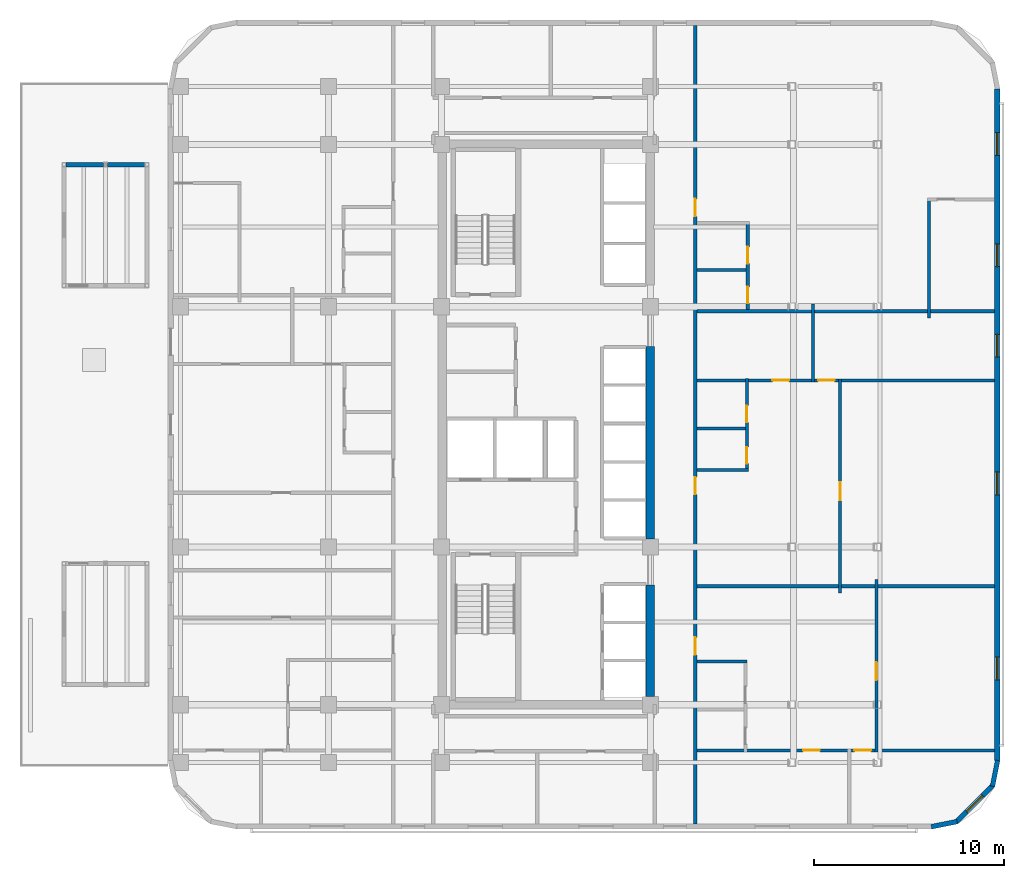
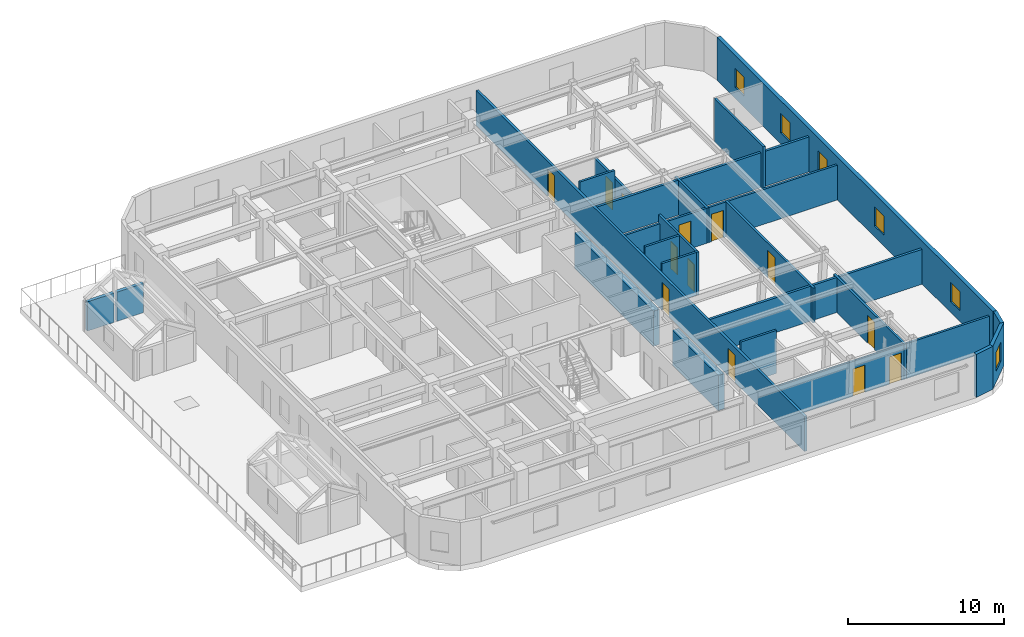
# One storey, part 13 of 19: 23 walls, 13 doors, 6 windows, 19 openings.
"""IFC4 building model written with IfcOpenShell, lengths in metres."""

from ifc_helpers import new_model, si_unit, direction, frame, frame_2d, origin, place, context, subcontext, project, spatial, rectangle, extrude, material, layer, layer_set, type_object, element, fill, save


model = new_model("IFC4")

# Units and contexts
model_context = context("Model", 3, precision=1e-05, world=origin(), true_north=direction((0.0, 1.0)))
body_context = subcontext(model_context, "Body", "Model", "MODEL_VIEW")
ifc_project = project(units=[si_unit("LENGTHUNIT", "METRE"), si_unit("AREAUNIT", "SQUARE_METRE"), si_unit("VOLUMEUNIT", "CUBIC_METRE"), si_unit("PLANEANGLEUNIT", "RADIAN"), si_unit("MASSUNIT", "GRAM", prefix="KILO")], contexts=[model_context])

# Site, building, storey
site_placement = place(None, origin())
site = spatial("IfcSite", under=ifc_project, at=site_placement, CompositionType="ELEMENT")
building_placement = place(site_placement, origin())
building = spatial("IfcBuilding", under=site, at=building_placement, Name="Ochreholt Gables", CompositionType="ELEMENT")
storey_placement = place(building_placement, frame((0.0, 0.0, 76.800048828125)))
storey = spatial("IfcBuildingStorey", under=building, at=storey_placement, Name="L19", CompositionType="ELEMENT", Elevation=76.800048828125)

# Walls
ifc_material_1 = material(Name="Concrete 60 MPa", Category="concrete")
ifc_layer_1 = layer(ifc_material_1, 0.449951171875, Name="Concrete 60 MPa")
ifc_layer_set_1 = layer_set([ifc_layer_1], Name="Concrete 60 MPa")
wall_type_1 = type_object("IfcWallType", Name="WALL-CSW-450", PredefinedType="SHEAR", material=ifc_layer_set_1)
wall_1_placement = place(storey_placement, frame((35.175048828125, 9.675048828125, 0.0), z_axis=(0.0, 0.0, 1.0), x_axis=(0.0, 1.0, 0.0)))
element("IfcWall", 1, at=wall_1_placement, inside=storey, type_object=wall_type_1, Name="L19 Core South-East Shear Wall", PredefinedType="SHEAR", context=body_context, shape_type="SweptSolid", body=[
    extrude(rectangle(XDim=5.875, YDim=0.449951171875, at=frame_2d((2.9375, 0.0))), origin(), (0.0, 0.0, 1.0), 2.7490234375),
])
wall_2_placement = place(storey_placement, frame((35.175048828125, 17.97509765625, 0.0), z_axis=(0.0, 0.0, 1.0), x_axis=(0.0, 1.0, 0.0)))
element("IfcWall", 2, at=wall_2_placement, inside=storey, type_object=wall_type_1, Name="L19 Core Central-East Shear Wall", PredefinedType="SHEAR", context=body_context, shape_type="SweptSolid", body=[
    extrude(rectangle(XDim=10.125, YDim=0.449951171875, at=frame_2d((5.0625, 0.0))), origin(), (0.0, 0.0, 1.0), 2.7490234375),
])

# Wall, openings, windows
ifc_material_2 = material(Name="Precast concrete 40 MPa", Category="concrete")
ifc_layer_2 = layer(ifc_material_2, 0.280029296875, Name="Precast concrete 40 MPa")
ifc_layer_set_2 = layer_set([ifc_layer_2], Name="Precast concrete 40 MPa")
wall_type_2 = type_object("IfcWallType", Name="WALL-EXT-280", PredefinedType="SOLIDWALL", material=ifc_layer_set_2)
wall_3_placement = place(storey_placement, frame((53.4599609375, 6.320068359375, 0.0), z_axis=(0.0, 0.0, 1.0), x_axis=(0.0, 1.0, 0.0)))
wall_3 = element("IfcWall", 3, at=wall_3_placement, inside=storey, type_object=wall_type_2, Name="L19 East Exterior Wall", PredefinedType="SOLIDWALL", context=body_context, shape_type="SweptSolid", body=[
    extrude(rectangle(XDim=35.35986328125, YDim=0.280029296875, at=frame_2d((17.679931640625, 0.0))), origin(), (0.0, 0.0, 1.0), 3.35986328125),
])
opening_1_placement = place(wall_3_placement, frame((4.239990234375, 0.0, 0.85009765625)))
opening_1 = element("IfcOpeningElement", 4, at=opening_1_placement, cuts=wall_3, Name="Opening WN-3", PredefinedType="OPENING", context=body_context, shape_type="SweptSolid", body=[
    extrude(rectangle(XDim=1.199951171875, YDim=1.5, at=frame_2d((0.60009765625, 0.75))), frame((0.0, 0.14990234375, 0.0), z_axis=(0.0, -1.0, 0.0), x_axis=(1.0, 0.0, 0.0)), (0.0, 0.0, 1.0), 0.300048828125),
])
opening_2_placement = place(wall_3_placement, frame((13.98193359375, 0.0, 0.85009765625)))
opening_2 = element("IfcOpeningElement", 5, at=opening_2_placement, cuts=wall_3, Name="Opening WN-3", PredefinedType="OPENING", context=body_context, shape_type="SweptSolid", body=[
    extrude(rectangle(XDim=1.199951171875, YDim=1.5, at=frame_2d((0.60009765625, 0.75))), frame((0.0, 0.14990234375, 0.0), z_axis=(0.0, -1.0, 0.0), x_axis=(1.0, 0.0, 0.0)), (0.0, 0.0, 1.0), 0.300048828125),
])
opening_3_placement = place(wall_3_placement, frame((21.22412109375, 0.0, 0.85009765625)))
opening_3 = element("IfcOpeningElement", 6, at=opening_3_placement, cuts=wall_3, Name="Opening WN-3", PredefinedType="OPENING", context=body_context, shape_type="SweptSolid", body=[
    extrude(rectangle(XDim=1.199951171875, YDim=1.5, at=frame_2d((0.60009765625, 0.75))), frame((0.0, 0.14990234375, 0.0), z_axis=(0.0, -1.0, 0.0), x_axis=(1.0, 0.0, 0.0)), (0.0, 0.0, 1.0), 0.300048828125),
])
opening_4_placement = place(wall_3_placement, frame((25.989013671875, 0.0, 0.85009765625)))
opening_4 = element("IfcOpeningElement", 7, at=opening_4_placement, cuts=wall_3, Name="Opening WN-3", PredefinedType="OPENING", context=body_context, shape_type="SweptSolid", body=[
    extrude(rectangle(XDim=1.199951171875, YDim=1.5, at=frame_2d((0.60009765625, 0.75))), frame((0.0, 0.14990234375, 0.0), z_axis=(0.0, -1.0, 0.0), x_axis=(1.0, 0.0, 0.0)), (0.0, 0.0, 1.0), 0.300048828125),
])
opening_5_placement = place(wall_3_placement, frame((31.846923828125, 0.0, 0.85009765625)))
opening_5 = element("IfcOpeningElement", 8, at=opening_5_placement, cuts=wall_3, Name="Opening WN-3", PredefinedType="OPENING", context=body_context, shape_type="SweptSolid", body=[
    extrude(rectangle(XDim=1.199951171875, YDim=1.5, at=frame_2d((0.60009765625, 0.75))), frame((0.0, 0.14990234375, 0.0), z_axis=(0.0, -1.0, 0.0), x_axis=(1.0, 0.0, 0.0)), (0.0, 0.0, 1.0), 0.300048828125),
])
ifc_material_3 = material(Name="Triple-Glazed Thermally Broken Aluminium Window", Category="aluminium")
window_type = type_object("IfcWindowType", Name="WIN-RES-1200", PartitioningType="SINGLE_PANEL", PredefinedType="WINDOW", material=ifc_material_3)
window_1_placement = place(opening_1_placement, origin())
window_1 = element("IfcWindow", 9, at=window_1_placement, inside=storey, type_object=window_type, Name="L19 Window W-EXT-E-L19-1", OverallHeight=1.5, OverallWidth=1.199951171875, PartitioningType="SINGLE_PANEL", PredefinedType="WINDOW", context=body_context, shape_type="SweptSolid", body=[
    extrude(rectangle(XDim=1.199951171875, YDim=1.5, at=frame_2d((0.60009765625, 0.75))), frame((0.0, 0.030029296875, 0.0), z_axis=(0.0, -1.0, 0.0), x_axis=(1.0, 0.0, 0.0)), (0.0, 0.0, 1.0), 0.06005859375),
])
fill(opening_1, window_1)
window_2_placement = place(opening_2_placement, origin())
window_2 = element("IfcWindow", 10, at=window_2_placement, inside=storey, type_object=window_type, Name="L19 Window W-EXT-E-L19-2", OverallHeight=1.5, OverallWidth=1.199951171875, PartitioningType="SINGLE_PANEL", PredefinedType="WINDOW", context=body_context, shape_type="SweptSolid", body=[
    extrude(rectangle(XDim=1.199951171875, YDim=1.5, at=frame_2d((0.60009765625, 0.75))), frame((0.0, 0.030029296875, 0.0), z_axis=(0.0, -1.0, 0.0), x_axis=(1.0, 0.0, 0.0)), (0.0, 0.0, 1.0), 0.06005859375),
])
fill(opening_2, window_2)
window_3_placement = place(opening_3_placement, origin())
window_3 = element("IfcWindow", 11, at=window_3_placement, inside=storey, type_object=window_type, Name="L19 Window W-EXT-E-L19-3", OverallHeight=1.5, OverallWidth=1.199951171875, PartitioningType="SINGLE_PANEL", PredefinedType="WINDOW", context=body_context, shape_type="SweptSolid", body=[
    extrude(rectangle(XDim=1.199951171875, YDim=1.5, at=frame_2d((0.60009765625, 0.75))), frame((0.0, 0.030029296875, 0.0), z_axis=(0.0, -1.0, 0.0), x_axis=(1.0, 0.0, 0.0)), (0.0, 0.0, 1.0), 0.06005859375),
])
fill(opening_3, window_3)
window_4_placement = place(opening_4_placement, origin())
window_4 = element("IfcWindow", 12, at=window_4_placement, inside=storey, type_object=window_type, Name="L19 Window W-EXT-E-L19-4", OverallHeight=1.5, OverallWidth=1.199951171875, PartitioningType="SINGLE_PANEL", PredefinedType="WINDOW", context=body_context, shape_type="SweptSolid", body=[
    extrude(rectangle(XDim=1.199951171875, YDim=1.5, at=frame_2d((0.60009765625, 0.75))), frame((0.0, 0.030029296875, 0.0), z_axis=(0.0, -1.0, 0.0), x_axis=(1.0, 0.0, 0.0)), (0.0, 0.0, 1.0), 0.06005859375),
])
fill(opening_4, window_4)
window_5_placement = place(opening_5_placement, origin())
window_5 = element("IfcWindow", 13, at=window_5_placement, inside=storey, type_object=window_type, Name="L19 Window W-EXT-E-L19-5", OverallHeight=1.5, OverallWidth=1.199951171875, PartitioningType="SINGLE_PANEL", PredefinedType="WINDOW", context=body_context, shape_type="SweptSolid", body=[
    extrude(rectangle(XDim=1.199951171875, YDim=1.5, at=frame_2d((0.60009765625, 0.75))), frame((0.0, 0.030029296875, 0.0), z_axis=(0.0, -1.0, 0.0), x_axis=(1.0, 0.0, 0.0)), (0.0, 0.0, 1.0), 0.06005859375),
])
fill(opening_5, window_5)

# Wall
ifc_layer_3 = layer(ifc_material_2, 0.25, Name="Precast concrete 40 MPa")
ifc_layer_set_3 = layer_set([ifc_layer_3], Name="Precast concrete 40 MPa")
wall_type_3 = type_object("IfcWallType", Name="WALL-EXT-CNR", PredefinedType="SOLIDWALL", material=ifc_layer_set_3)
wall_4_placement = place(storey_placement, frame((49.9833984375, 2.82421875, 0.0), z_axis=(0.0, 0.0, 1.0), x_axis=(0.980809899341, 0.19496651342, 0.0)))
element("IfcWall", 14, at=wall_4_placement, inside=storey, type_object=wall_type_3, Name="L19 Rounded Corner Wall SE-1", PredefinedType="SOLIDWALL", context=body_context, shape_type="SweptSolid", body=[
    extrude(rectangle(XDim=1.388671875, YDim=0.25, at=frame_2d((0.6943359375, 0.0))), origin(), (0.0, 0.0, 1.0), 3.35986328125),
])

# Wall, opening, window
wall_5_placement = place(storey_placement, frame((51.294921875, 3.068115234375, 0.0), z_axis=(0.0, 0.0, 1.0), x_axis=(0.707151344399, 0.707062215165, 0.0)))
wall_5 = element("IfcWall", 15, at=wall_5_placement, inside=storey, type_object=wall_type_3, Name="L19 Rounded Corner Wall SE-2", PredefinedType="SOLIDWALL", context=body_context, shape_type="SweptSolid", body=[
    extrude(rectangle(XDim=2.7392578125, YDim=0.25, at=frame_2d((1.36962890625, 0.0))), origin(), (0.0, 0.0, 1.0), 3.35986328125),
])
opening_6_placement = place(wall_5_placement, frame((0.769775390625, 0.0, 0.85009765625)))
opening_6 = element("IfcOpeningElement", 16, at=opening_6_placement, cuts=wall_5, Name="Opening WN-3", PredefinedType="OPENING", context=body_context, shape_type="SweptSolid", body=[
    extrude(rectangle(XDim=1.199951171875, YDim=1.5, at=frame_2d((0.60009765625, 0.75))), frame((0.0, 0.135009765625, 0.0), z_axis=(0.0, -1.0, 0.0), x_axis=(1.0, 0.0, 0.0)), (0.0, 0.0, 1.0), 0.27001953125),
])
window_6_placement = place(opening_6_placement, origin())
window_6 = element("IfcWindow", 17, at=window_6_placement, inside=storey, type_object=window_type, Name="L19 Corner Bedroom Window SE", OverallHeight=1.5, OverallWidth=1.199951171875, PartitioningType="SINGLE_PANEL", PredefinedType="WINDOW", context=body_context, shape_type="SweptSolid", body=[
    extrude(rectangle(XDim=1.199951171875, YDim=1.5, at=frame_2d((0.60009765625, 0.75))), frame((0.0, 0.030029296875, 0.0), z_axis=(0.0, -1.0, 0.0), x_axis=(1.0, 0.0, 0.0)), (0.0, 0.0, 1.0), 0.06005859375),
])
fill(opening_6, window_6)

# Walls
wall_6_placement = place(storey_placement, frame((53.205078125, 4.95458984375, 0.0), z_axis=(0.0, 0.0, 1.0), x_axis=(0.195000137217, 0.980803214965, 0.0)))
element("IfcWall", 18, at=wall_6_placement, inside=storey, type_object=wall_type_3, Name="L19 Rounded Corner Wall SE-3", PredefinedType="SOLIDWALL", context=body_context, shape_type="SweptSolid", body=[
    extrude(rectangle(XDim=1.388427734375, YDim=0.25, at=frame_2d((0.6943359375, 0.0))), origin(), (0.0, 0.0, 1.0), 3.35986328125),
])
ifc_layer_4 = layer(ifc_material_2, 0.22998046875, Name="Precast concrete 40 MPa")
ifc_layer_set_4 = layer_set([ifc_layer_4], Name="Precast concrete 40 MPa")
wall_type_4 = type_object("IfcWallType", Name="WALL-EXT-GAB", PredefinedType="SOLIDWALL", material=ifc_layer_set_4)
for number, where, z_axis, x_axis, name in (
    (19, (4.422119140625, 37.68505859375, 0.0), (0.0, 0.0, 1.0), (1.0, 0.0, 0.0), "L19 Gable End Wall GB-19W2-N1"),
    (20, (6.60205078125, 37.68505859375, 0.0), (0.0, 0.0, 1.0), (1.0, 0.0, 0.0), "L19 Gable End Wall GB-19W2-N2"),
):
    element("IfcWall", number, at=place(storey_placement, frame(where, z_axis=z_axis, x_axis=x_axis)), inside=storey, type_object=wall_type_4, Name=name, PredefinedType="SOLIDWALL", context=body_context, shape_type="SweptSolid", body=[
        extrude(rectangle(XDim=1.975830078125, YDim=0.22998046875, at=frame_2d((0.98779296875, 0.0))), origin(), (0.0, 0.0, 1.0), 2.28125),
    ])

# Wall, openings, doors
ifc_material_4 = material(Name="Fire-Rated Gypsum Acoustic Partition", Category="gypsum")
ifc_layer_5 = layer(ifc_material_4, 0.179931640625, Name="Fire-Rated Gypsum Acoustic Partition")
ifc_layer_set_5 = layer_set([ifc_layer_5], Name="Fire-Rated Gypsum Acoustic Partition")
wall_type_5 = type_object("IfcWallType", Name="WALL-INT-CR180", PredefinedType="STANDARD", material=ifc_layer_set_5)
wall_7_placement = place(storey_placement, frame((37.550048828125, 2.97998046875, 0.0), z_axis=(0.0, 0.0, 1.0), x_axis=(0.0, 1.0, 0.0)))
wall_7 = element("IfcWall", 21, at=wall_7_placement, inside=storey, type_object=wall_type_5, Name="L19 Interior Wall WI-C1E-L19", PredefinedType="STANDARD", context=body_context, shape_type="SweptSolid", body=[
    extrude(rectangle(XDim=42.0400390625, YDim=0.179931640625, at=frame_2d((21.02001953125, 0.0))), origin(), (0.0, 0.0, 1.0), 2.73095703125),
])
opening_7_placement = place(wall_7_placement, frame((8.8984375, 0.0, 0.0)))
opening_7 = element("IfcOpeningElement", 22, at=opening_7_placement, cuts=wall_7, Name="Opening D-UN1", PredefinedType="OPENING", context=body_context, shape_type="SweptSolid", body=[
    extrude(rectangle(XDim=0.919921875, YDim=2.14990234375, at=frame_2d((0.4599609375, 1.074951171875))), frame((0.0, 0.099853515625, 0.0), z_axis=(0.0, -1.0, 0.0), x_axis=(1.0, 0.0, 0.0)), (0.0, 0.0, 1.0), 0.199951171875),
])
opening_8_placement = place(wall_7_placement, frame((17.3369140625, 0.0, 0.0)))
opening_8 = element("IfcOpeningElement", 23, at=opening_8_placement, cuts=wall_7, Name="Opening D-UN1", PredefinedType="OPENING", context=body_context, shape_type="SweptSolid", body=[
    extrude(rectangle(XDim=0.919921875, YDim=2.14990234375, at=frame_2d((0.4599609375, 1.074951171875))), frame((0.0, 0.099853515625, 0.0), z_axis=(0.0, -1.0, 0.0), x_axis=(1.0, 0.0, 0.0)), (0.0, 0.0, 1.0), 0.199951171875),
])
opening_9_placement = place(wall_7_placement, frame((31.98388671875, 0.0, 0.0)))
opening_9 = element("IfcOpeningElement", 24, at=opening_9_placement, cuts=wall_7, Name="Opening D-UN1", PredefinedType="OPENING", context=body_context, shape_type="SweptSolid", body=[
    extrude(rectangle(XDim=0.919921875, YDim=2.14990234375, at=frame_2d((0.4599609375, 1.074951171875))), frame((0.0, 0.099853515625, 0.0), z_axis=(0.0, -1.0, 0.0), x_axis=(1.0, 0.0, 0.0)), (0.0, 0.0, 1.0), 0.199951171875),
])
ifc_material_5 = material(Name="Engineered Oak Timber", Category="wood")
door_type_1 = type_object("IfcDoorType", Name="DR-INT-UNT920", OperationType="NOTDEFINED", PredefinedType="DOOR", material=ifc_material_5)
door_1_placement = place(opening_7_placement, origin())
door_1 = element("IfcDoor", 25, at=door_1_placement, inside=storey, type_object=door_type_1, Name="L19 Door D-U-L19E1-ENT", OperationType="SINGLE_SWING_RIGHT", OverallHeight=2.14990234375, OverallWidth=0.919921875, PredefinedType="DOOR", context=body_context, shape_type="SweptSolid", body=[
    extrude(rectangle(XDim=0.919921875, YDim=2.14990234375, at=frame_2d((0.4599609375, 1.074951171875))), frame((0.0, 0.02490234375, 0.0), z_axis=(0.0, -1.0, 0.0), x_axis=(1.0, 0.0, 0.0)), (0.0, 0.0, 1.0), 0.050048828125),
])
fill(opening_7, door_1)
door_2_placement = place(opening_8_placement, origin())
door_2 = element("IfcDoor", 26, at=door_2_placement, inside=storey, type_object=door_type_1, Name="L19 Door D-U-L19E2-ENT", OperationType="SINGLE_SWING_LEFT", OverallHeight=2.14990234375, OverallWidth=0.919921875, PredefinedType="DOOR", context=body_context, shape_type="SweptSolid", body=[
    extrude(rectangle(XDim=0.919921875, YDim=2.14990234375, at=frame_2d((0.4599609375, 1.074951171875))), frame((0.0, 0.02490234375, 0.0), z_axis=(0.0, -1.0, 0.0), x_axis=(1.0, 0.0, 0.0)), (0.0, 0.0, 1.0), 0.050048828125),
])
fill(opening_8, door_2)
door_3_placement = place(opening_9_placement, origin())
door_3 = element("IfcDoor", 27, at=door_3_placement, inside=storey, type_object=door_type_1, Name="L19 Door D-U-L19E3-ENT", OperationType="SINGLE_SWING_RIGHT", OverallHeight=2.14990234375, OverallWidth=0.919921875, PredefinedType="DOOR", context=body_context, shape_type="SweptSolid", body=[
    extrude(rectangle(XDim=0.919921875, YDim=2.14990234375, at=frame_2d((0.4599609375, 1.074951171875))), frame((0.0, 0.02490234375, 0.0), z_axis=(0.0, -1.0, 0.0), x_axis=(1.0, 0.0, 0.0)), (0.0, 0.0, 1.0), 0.050048828125),
])
fill(opening_9, door_3)

# Walls
ifc_material_6 = material(Name="Double-Stud Acoustic Demising Wall", Category="gypsum")
ifc_layer_6 = layer(ifc_material_6, 0.179931640625, Name="Double-Stud Acoustic Demising Wall")
ifc_layer_set_6 = layer_set([ifc_layer_6], Name="Double-Stud Acoustic Demising Wall")
wall_type_6 = type_object("IfcWallType", Name="WALL-INT-DM180", PredefinedType="PARTITIONING", material=ifc_layer_set_6)
for number, where, z_axis, x_axis, name in (
    (28, (37.639892578125, 15.47998046875, 0.0), (0.0, 0.0, 1.0), (1.0, 0.0, 0.0), "L19 Interior Wall WI-UDE2-L19"),
    (29, (37.639892578125, 29.964111328125, 0.0), (0.0, 0.0, 1.0), (1.0, 0.0, 0.0), "L19 Interior Wall WI-UDE3-L19"),
):
    element("IfcWall", number, at=place(storey_placement, frame(where, z_axis=z_axis, x_axis=x_axis)), inside=storey, type_object=wall_type_6, Name=name, PredefinedType="PARTITIONING", context=body_context, shape_type="SweptSolid", body=[
        extrude(rectangle(XDim=15.68017578125, YDim=0.179931640625, at=frame_2d((7.840087890625, 0.0))), origin(), (0.0, 0.0, 1.0), 2.73095703125),
    ])
ifc_material_7 = material(Name="Moisture-Resistant Plumbing Chase Wall", Category="gypsum")
ifc_layer_7 = layer(ifc_material_7, 0.159912109375, Name="Moisture-Resistant Plumbing Chase Wall")
ifc_layer_set_7 = layer_set([ifc_layer_7], Name="Moisture-Resistant Plumbing Chase Wall")
wall_type_7 = type_object("IfcWallType", Name="WALL-INT-PL160", PredefinedType="PLUMBINGWALL", material=ifc_layer_set_7)
wall_8_placement = place(storey_placement, frame((37.639892578125, 11.5185546875, 0.0), z_axis=(0.0, 0.0, 1.0), x_axis=(1.0, 0.0, 0.0)))
element("IfcWall", 30, at=wall_8_placement, inside=storey, type_object=wall_type_7, Name="L19 Interior Wall WU-L19E1-FYN", PredefinedType="PLUMBINGWALL", context=body_context, shape_type="SweptSolid", body=[
    extrude(rectangle(XDim=2.635986328125, YDim=0.159912109375, at=frame_2d((1.31787109375, 0.0))), origin(), (0.0, 0.0, 1.0), 3.35986328125),
])
wall_9_placement = place(storey_placement, frame((37.639892578125, 21.616943359375, 0.0), z_axis=(0.0, 0.0, 1.0), x_axis=(1.0, 0.0, 0.0)))
element("IfcWall", 31, at=wall_9_placement, inside=storey, type_object=wall_type_7, Name="L19 Interior Wall WU-L19E2-FYS", PredefinedType="PLUMBINGWALL", context=body_context, shape_type="SweptSolid", body=[
    extrude(rectangle(XDim=2.712158203125, YDim=0.159912109375, at=frame_2d((1.35595703125, 0.0))), origin(), (0.0, 0.0, 1.0), 3.35986328125),
])

# Wall, openings, doors
wall_10_placement = place(storey_placement, frame((40.27197265625, 21.527099609375, 0.0), z_axis=(0.0, 0.0, 1.0), x_axis=(0.0, 1.0, 0.0)))
wall_10 = element("IfcWall", 32, at=wall_10_placement, inside=storey, type_object=wall_type_7, Name="L19 Interior Wall WU-L19E2-WX", PredefinedType="PLUMBINGWALL", context=body_context, shape_type="SweptSolid", body=[
    extrude(rectangle(XDim=4.886962890625, YDim=0.159912109375, at=frame_2d((2.443359375, 0.0))), origin(), (0.0, 0.0, 1.0), 3.35986328125),
])
opening_10_placement = place(wall_10_placement, frame((0.419921875, 0.0, 0.0)))
opening_10 = element("IfcOpeningElement", 33, at=opening_10_placement, cuts=wall_10, Name="Opening D-BT1", PredefinedType="OPENING", context=body_context, shape_type="SweptSolid", body=[
    extrude(rectangle(XDim=0.860107421875, YDim=2.1201171875, at=frame_2d((0.43017578125, 1.06005859375))), frame((0.0, 0.08984375, 0.0), z_axis=(0.0, -1.0, 0.0), x_axis=(1.0, 0.0, 0.0)), (0.0, 0.0, 1.0), 0.179931640625),
])
opening_11_placement = place(wall_10_placement, frame((2.585205078125, 0.0, 0.0)))
opening_11 = element("IfcOpeningElement", 34, at=opening_11_placement, cuts=wall_10, Name="Opening D-GN2", PredefinedType="OPENING", context=body_context, shape_type="SweptSolid", body=[
    extrude(rectangle(XDim=0.8798828125, YDim=2.1201171875, at=frame_2d((0.43994140625, 1.06005859375))), frame((0.0, 0.08984375, 0.0), z_axis=(0.0, -1.0, 0.0), x_axis=(1.0, 0.0, 0.0)), (0.0, 0.0, 1.0), 0.179931640625),
])
door_type_2 = type_object("IfcDoorType", Name="DR-INT-BTH860", OperationType="NOTDEFINED", PredefinedType="DOOR", material=ifc_material_5)
door_4_placement = place(opening_10_placement, origin())
door_4 = element("IfcDoor", 35, at=door_4_placement, inside=storey, type_object=door_type_2, Name="L19 Door D-U-L19E2-BTH", OperationType="SINGLE_SWING_RIGHT", OverallHeight=2.1201171875, OverallWidth=0.860107421875, PredefinedType="DOOR", context=body_context, shape_type="SweptSolid", body=[
    extrude(rectangle(XDim=0.860107421875, YDim=2.1201171875, at=frame_2d((0.43017578125, 1.06005859375))), frame((0.0, 0.02490234375, 0.0), z_axis=(0.0, -1.0, 0.0), x_axis=(1.0, 0.0, 0.0)), (0.0, 0.0, 1.0), 0.050048828125),
])
fill(opening_10, door_4)
door_type_3 = type_object("IfcDoorType", Name="DR-INT-GEN880", OperationType="NOTDEFINED", PredefinedType="DOOR", material=ifc_material_5)
door_5_placement = place(opening_11_placement, origin())
door_5 = element("IfcDoor", 36, at=door_5_placement, inside=storey, type_object=door_type_3, Name="L19 Door D-U-L19E2-KIT", OperationType="SINGLE_SWING_LEFT", OverallHeight=2.1201171875, OverallWidth=0.8798828125, PredefinedType="DOOR", context=body_context, shape_type="SweptSolid", body=[
    extrude(rectangle(XDim=0.8798828125, YDim=2.1201171875, at=frame_2d((0.43994140625, 1.06005859375))), frame((0.0, 0.02490234375, 0.0), z_axis=(0.0, -1.0, 0.0), x_axis=(1.0, 0.0, 0.0)), (0.0, 0.0, 1.0), 0.050048828125),
])
fill(opening_11, door_5)

# Wall
wall_11_placement = place(storey_placement, frame((37.639892578125, 23.7822265625, 0.0), z_axis=(0.0, 0.0, 1.0), x_axis=(1.0, 0.0, 0.0)))
element("IfcWall", 37, at=wall_11_placement, inside=storey, type_object=wall_type_7, Name="L19 Interior Wall WU-L19E2-WK", PredefinedType="PLUMBINGWALL", context=body_context, shape_type="SweptSolid", body=[
    extrude(rectangle(XDim=2.552001953125, YDim=0.159912109375, at=frame_2d((1.27587890625, 0.0))), origin(), (0.0, 0.0, 1.0), 3.35986328125),
])

# Wall, openings, doors
wall_12_placement = place(storey_placement, frame((40.318115234375, 30.053955078125, 0.0), z_axis=(0.0, 0.0, 1.0), x_axis=(0.0, 1.0, 0.0)))
wall_12 = element("IfcWall", 38, at=wall_12_placement, inside=storey, type_object=wall_type_7, Name="L19 Interior Wall WU-L19E3-WX", PredefinedType="PLUMBINGWALL", context=body_context, shape_type="SweptSolid", body=[
    extrude(rectangle(XDim=4.64013671875, YDim=0.159912109375, at=frame_2d((2.320068359375, 0.0))), origin(), (0.0, 0.0, 1.0), 2.73095703125),
])
opening_12_placement = place(wall_12_placement, frame((0.330078125, 0.0, 0.0)))
opening_12 = element("IfcOpeningElement", 39, at=opening_12_placement, cuts=wall_12, Name="Opening D-BT1", PredefinedType="OPENING", context=body_context, shape_type="SweptSolid", body=[
    extrude(rectangle(XDim=0.860107421875, YDim=2.1201171875, at=frame_2d((0.43017578125, 1.06005859375))), frame((0.0, 0.08984375, 0.0), z_axis=(0.0, -1.0, 0.0), x_axis=(1.0, 0.0, 0.0)), (0.0, 0.0, 1.0), 0.179931640625),
])
opening_13_placement = place(wall_12_placement, frame((2.423095703125, 0.0, 0.0)))
opening_13 = element("IfcOpeningElement", 40, at=opening_13_placement, cuts=wall_12, Name="Opening D-GN2", PredefinedType="OPENING", context=body_context, shape_type="SweptSolid", body=[
    extrude(rectangle(XDim=0.8798828125, YDim=2.1201171875, at=frame_2d((0.43994140625, 1.06005859375))), frame((0.0, 0.08984375, 0.0), z_axis=(0.0, -1.0, 0.0), x_axis=(1.0, 0.0, 0.0)), (0.0, 0.0, 1.0), 0.179931640625),
])
door_6_placement = place(opening_12_placement, origin())
door_6 = element("IfcDoor", 41, at=door_6_placement, inside=storey, type_object=door_type_2, Name="L19 Door D-U-L19E3-BTH", OperationType="SINGLE_SWING_LEFT", OverallHeight=2.1201171875, OverallWidth=0.860107421875, PredefinedType="DOOR", context=body_context, shape_type="SweptSolid", body=[
    extrude(rectangle(XDim=0.860107421875, YDim=2.1201171875, at=frame_2d((0.43017578125, 1.06005859375))), frame((0.0, 0.02490234375, 0.0), z_axis=(0.0, -1.0, 0.0), x_axis=(1.0, 0.0, 0.0)), (0.0, 0.0, 1.0), 0.050048828125),
])
fill(opening_12, door_6)
door_7_placement = place(opening_13_placement, origin())
door_7 = element("IfcDoor", 42, at=door_7_placement, inside=storey, type_object=door_type_3, Name="L19 Door D-U-L19E3-KIT", OperationType="SINGLE_SWING_RIGHT", OverallHeight=2.1201171875, OverallWidth=0.8798828125, PredefinedType="DOOR", context=body_context, shape_type="SweptSolid", body=[
    extrude(rectangle(XDim=0.8798828125, YDim=2.1201171875, at=frame_2d((0.43994140625, 1.06005859375))), frame((0.0, 0.02490234375, 0.0), z_axis=(0.0, -1.0, 0.0), x_axis=(1.0, 0.0, 0.0)), (0.0, 0.0, 1.0), 0.050048828125),
])
fill(opening_13, door_7)

# Wall
wall_13_placement = place(storey_placement, frame((37.639892578125, 32.14697265625, 0.0), z_axis=(0.0, 0.0, 1.0), x_axis=(1.0, 0.0, 0.0)))
element("IfcWall", 43, at=wall_13_placement, inside=storey, type_object=wall_type_7, Name="L19 Interior Wall WU-L19E3-WM", PredefinedType="PLUMBINGWALL", context=body_context, shape_type="SweptSolid", body=[
    extrude(rectangle(XDim=2.59814453125, YDim=0.159912109375, at=frame_2d((1.299072265625, 0.0))), origin(), (0.0, 0.0, 1.0), 3.35986328125),
])

# Wall, openings, doors
ifc_material_8 = material(Name="Gypsum Acoustic Stud Partition", Category="gypsum")
ifc_layer_8 = layer(ifc_material_8, 0.159912109375, Name="Gypsum Acoustic Stud Partition")
ifc_layer_set_8 = layer_set([ifc_layer_8], Name="Gypsum Acoustic Stud Partition")
wall_type_8 = type_object("IfcWallType", Name="WALL-INT-PT160", PredefinedType="PARTITIONING", material=ifc_layer_set_8)
wall_14_placement = place(storey_placement, frame((37.639892578125, 6.840087890625, 0.0), z_axis=(0.0, 0.0, 1.0), x_axis=(1.0, 0.0, 0.0)))
wall_14 = element("IfcWall", 44, at=wall_14_placement, inside=storey, type_object=wall_type_8, Name="L19 Interior Wall WU-L19E1-MN", PredefinedType="PARTITIONING", context=body_context, shape_type="SweptSolid", body=[
    extrude(rectangle(XDim=15.68017578125, YDim=0.159912109375, at=frame_2d((7.840087890625, 0.0))), origin(), (0.0, 0.0, 1.0), 2.73095703125),
])
opening_14_placement = place(wall_14_placement, frame((5.593505859375, 0.0, 0.0)))
opening_14 = element("IfcOpeningElement", 45, at=opening_14_placement, cuts=wall_14, Name="Opening D-BD2", PredefinedType="OPENING", context=body_context, shape_type="SweptSolid", body=[
    extrude(rectangle(XDim=0.8798828125, YDim=2.139892578125, at=frame_2d((0.43994140625, 1.06982421875))), frame((0.0, 0.08984375, 0.0), z_axis=(0.0, -1.0, 0.0), x_axis=(1.0, 0.0, 0.0)), (0.0, 0.0, 1.0), 0.179931640625),
])
opening_15_placement = place(wall_14_placement, frame((8.291259765625, 0.0, 0.0)))
opening_15 = element("IfcOpeningElement", 46, at=opening_15_placement, cuts=wall_14, Name="Opening D-BD2", PredefinedType="OPENING", context=body_context, shape_type="SweptSolid", body=[
    extrude(rectangle(XDim=0.8798828125, YDim=2.139892578125, at=frame_2d((0.43994140625, 1.06982421875))), frame((0.0, 0.08984375, 0.0), z_axis=(0.0, -1.0, 0.0), x_axis=(1.0, 0.0, 0.0)), (0.0, 0.0, 1.0), 0.179931640625),
])
door_type_4 = type_object("IfcDoorType", Name="DR-INT-BED880", OperationType="NOTDEFINED", PredefinedType="DOOR", material=ifc_material_5)
door_8_placement = place(opening_14_placement, origin())
door_8 = element("IfcDoor", 47, at=door_8_placement, inside=storey, type_object=door_type_4, Name="L19 Door D-U-L19E1-BD1", OperationType="SINGLE_SWING_RIGHT", OverallHeight=2.139892578125, OverallWidth=0.8798828125, PredefinedType="DOOR", context=body_context, shape_type="SweptSolid", body=[
    extrude(rectangle(XDim=0.8798828125, YDim=2.139892578125, at=frame_2d((0.43994140625, 1.06982421875))), frame((0.0, 0.02490234375, 0.0), z_axis=(0.0, -1.0, 0.0), x_axis=(1.0, 0.0, 0.0)), (0.0, 0.0, 1.0), 0.050048828125),
])
fill(opening_14, door_8)
door_9_placement = place(opening_15_placement, origin())
door_9 = element("IfcDoor", 48, at=door_9_placement, inside=storey, type_object=door_type_4, Name="L19 Door D-U-L19E1-BD2", OperationType="SINGLE_SWING_LEFT", OverallHeight=2.139892578125, OverallWidth=0.8798828125, PredefinedType="DOOR", context=body_context, shape_type="SweptSolid", body=[
    extrude(rectangle(XDim=0.8798828125, YDim=2.139892578125, at=frame_2d((0.43994140625, 1.06982421875))), frame((0.0, 0.02490234375, 0.0), z_axis=(0.0, -1.0, 0.0), x_axis=(1.0, 0.0, 0.0)), (0.0, 0.0, 1.0), 0.050048828125),
])
fill(opening_15, door_9)

# Wall, opening, door
wall_15_placement = place(storey_placement, frame((47.09130859375, 6.760009765625, 0.0), z_axis=(0.0, 0.0, 1.0), x_axis=(0.0, 1.0, 0.0)))
wall_15 = element("IfcWall", 49, at=wall_15_placement, inside=storey, type_object=wall_type_8, Name="L19 Interior Wall WU-L19E1-DNV", PredefinedType="PARTITIONING", context=body_context, shape_type="SweptSolid", body=[
    extrude(rectangle(XDim=9.080078125, YDim=0.159912109375, at=frame_2d((4.5400390625, 0.0))), origin(), (0.0, 0.0, 1.0), 2.73095703125),
])
opening_16_placement = place(wall_15_placement, frame((3.780029296875, 0.0, 0.0)))
opening_16 = element("IfcOpeningElement", 50, at=opening_16_placement, cuts=wall_15, Name="Opening D-GN1", PredefinedType="OPENING", context=body_context, shape_type="SweptSolid", body=[
    extrude(rectangle(XDim=0.949951171875, YDim=2.14990234375, at=frame_2d((0.47509765625, 1.074951171875))), frame((0.0, 0.08984375, 0.0), z_axis=(0.0, -1.0, 0.0), x_axis=(1.0, 0.0, 0.0)), (0.0, 0.0, 1.0), 0.179931640625),
])
door_type_5 = type_object("IfcDoorType", Name="DR-INT-GEN950", OperationType="NOTDEFINED", PredefinedType="DOOR", material=ifc_material_5)
door_10_placement = place(opening_16_placement, origin())
door_10 = element("IfcDoor", 51, at=door_10_placement, inside=storey, type_object=door_type_5, Name="L19 Door D-U-L19E1-DIN", OperationType="SINGLE_SWING_LEFT", OverallHeight=2.14990234375, OverallWidth=0.949951171875, PredefinedType="DOOR", context=body_context, shape_type="SweptSolid", body=[
    extrude(rectangle(XDim=0.949951171875, YDim=2.14990234375, at=frame_2d((0.47509765625, 1.074951171875))), frame((0.0, 0.02490234375, 0.0), z_axis=(0.0, -1.0, 0.0), x_axis=(1.0, 0.0, 0.0)), (0.0, 0.0, 1.0), 0.050048828125),
])
fill(opening_16, door_10)

# Wall, openings, doors
wall_16_placement = place(storey_placement, frame((37.639892578125, 26.323974609375, 0.0), z_axis=(0.0, 0.0, 1.0), x_axis=(1.0, 0.0, 0.0)))
wall_16 = element("IfcWall", 52, at=wall_16_placement, inside=storey, type_object=wall_type_8, Name="L19 Interior Wall WU-L19E2-MN", PredefinedType="PARTITIONING", context=body_context, shape_type="SweptSolid", body=[
    extrude(rectangle(XDim=15.68017578125, YDim=0.159912109375, at=frame_2d((7.840087890625, 0.0))), origin(), (0.0, 0.0, 1.0), 2.73095703125),
])
opening_17_placement = place(wall_16_placement, frame((3.97509765625, 0.0, 0.0)))
opening_17 = element("IfcOpeningElement", 53, at=opening_17_placement, cuts=wall_16, Name="Opening D-BD2", PredefinedType="OPENING", context=body_context, shape_type="SweptSolid", body=[
    extrude(rectangle(XDim=0.8798828125, YDim=2.139892578125, at=frame_2d((0.43994140625, 1.06982421875))), frame((0.0, 0.08984375, 0.0), z_axis=(0.0, -1.0, 0.0), x_axis=(1.0, 0.0, 0.0)), (0.0, 0.0, 1.0), 0.179931640625),
])
opening_18_placement = place(wall_16_placement, frame((6.37841796875, 0.0, 0.0)))
opening_18 = element("IfcOpeningElement", 54, at=opening_18_placement, cuts=wall_16, Name="Opening D-BD2", PredefinedType="OPENING", context=body_context, shape_type="SweptSolid", body=[
    extrude(rectangle(XDim=0.8798828125, YDim=2.139892578125, at=frame_2d((0.43994140625, 1.06982421875))), frame((0.0, 0.08984375, 0.0), z_axis=(0.0, -1.0, 0.0), x_axis=(1.0, 0.0, 0.0)), (0.0, 0.0, 1.0), 0.179931640625),
])
door_11_placement = place(opening_17_placement, origin())
door_11 = element("IfcDoor", 55, at=door_11_placement, inside=storey, type_object=door_type_4, Name="L19 Door D-U-L19E2-BD1", OperationType="SINGLE_SWING_LEFT", OverallHeight=2.139892578125, OverallWidth=0.8798828125, PredefinedType="DOOR", context=body_context, shape_type="SweptSolid", body=[
    extrude(rectangle(XDim=0.8798828125, YDim=2.139892578125, at=frame_2d((0.43994140625, 1.06982421875))), frame((0.0, 0.02490234375, 0.0), z_axis=(0.0, -1.0, 0.0), x_axis=(1.0, 0.0, 0.0)), (0.0, 0.0, 1.0), 0.050048828125),
])
fill(opening_17, door_11)
door_12_placement = place(opening_18_placement, origin())
door_12 = element("IfcDoor", 56, at=door_12_placement, inside=storey, type_object=door_type_4, Name="L19 Door D-U-L19E2-BD2", OperationType="SINGLE_SWING_RIGHT", OverallHeight=2.139892578125, OverallWidth=0.8798828125, PredefinedType="DOOR", context=body_context, shape_type="SweptSolid", body=[
    extrude(rectangle(XDim=0.8798828125, YDim=2.139892578125, at=frame_2d((0.43994140625, 1.06982421875))), frame((0.0, 0.02490234375, 0.0), z_axis=(0.0, -1.0, 0.0), x_axis=(1.0, 0.0, 0.0)), (0.0, 0.0, 1.0), 0.050048828125),
])
fill(opening_18, door_12)

# Wall, opening, door
wall_17_placement = place(storey_placement, frame((45.17822265625, 15.1201171875, 0.0), z_axis=(0.0, 0.0, 1.0), x_axis=(0.0, 1.0, 0.0)))
wall_17 = element("IfcWall", 57, at=wall_17_placement, inside=storey, type_object=wall_type_8, Name="L19 Interior Wall WU-L19E2-DNV", PredefinedType="PARTITIONING", context=body_context, shape_type="SweptSolid", body=[
    extrude(rectangle(XDim=11.283935546875, YDim=0.159912109375, at=frame_2d((5.64208984375, 0.0))), origin(), (0.0, 0.0, 1.0), 2.73095703125),
])
opening_19_placement = place(wall_17_placement, frame((4.882080078125, 0.0, 0.0)))
opening_19 = element("IfcOpeningElement", 58, at=opening_19_placement, cuts=wall_17, Name="Opening D-GN1", PredefinedType="OPENING", context=body_context, shape_type="SweptSolid", body=[
    extrude(rectangle(XDim=0.949951171875, YDim=2.14990234375, at=frame_2d((0.47509765625, 1.074951171875))), frame((0.0, 0.08984375, 0.0), z_axis=(0.0, -1.0, 0.0), x_axis=(1.0, 0.0, 0.0)), (0.0, 0.0, 1.0), 0.179931640625),
])
door_13_placement = place(opening_19_placement, origin())
door_13 = element("IfcDoor", 59, at=door_13_placement, inside=storey, type_object=door_type_5, Name="L19 Door D-U-L19E2-DIN", OperationType="SINGLE_SWING_RIGHT", OverallHeight=2.14990234375, OverallWidth=0.949951171875, PredefinedType="DOOR", context=body_context, shape_type="SweptSolid", body=[
    extrude(rectangle(XDim=0.949951171875, YDim=2.14990234375, at=frame_2d((0.47509765625, 1.074951171875))), frame((0.0, 0.02490234375, 0.0), z_axis=(0.0, -1.0, 0.0), x_axis=(1.0, 0.0, 0.0)), (0.0, 0.0, 1.0), 0.050048828125),
])
fill(opening_19, door_13)

# Walls
wall_18_placement = place(storey_placement, frame((43.748291015625, 26.243896484375, 0.0), z_axis=(0.0, 0.0, 1.0), x_axis=(0.0, 1.0, 0.0)))
element("IfcWall", 60, at=wall_18_placement, inside=storey, type_object=wall_type_8, Name="L19 Interior Wall WU-L19E2-BSD", PredefinedType="PARTITIONING", context=body_context, shape_type="SweptSolid", body=[
    extrude(rectangle(XDim=4.110107421875, YDim=0.159912109375, at=frame_2d((2.05517578125, 0.0))), origin(), (0.0, 0.0, 1.0), 2.73095703125),
])
wall_19_placement = place(storey_placement, frame((49.85009765625, 29.60400390625, 0.0), z_axis=(0.0, 0.0, 1.0), x_axis=(0.0, 1.0, 0.0)))
element("IfcWall", 61, at=wall_19_placement, inside=storey, type_object=wall_type_8, Name="L19 Interior Wall WU-L19E3-STW", PredefinedType="PARTITIONING", context=body_context, shape_type="SweptSolid", body=[
    extrude(rectangle(XDim=6.25, YDim=0.159912109375, at=frame_2d((3.125, 0.0))), origin(), (0.0, 0.0, 1.0), 3.35986328125),
])

save(model, "model.ifc")
